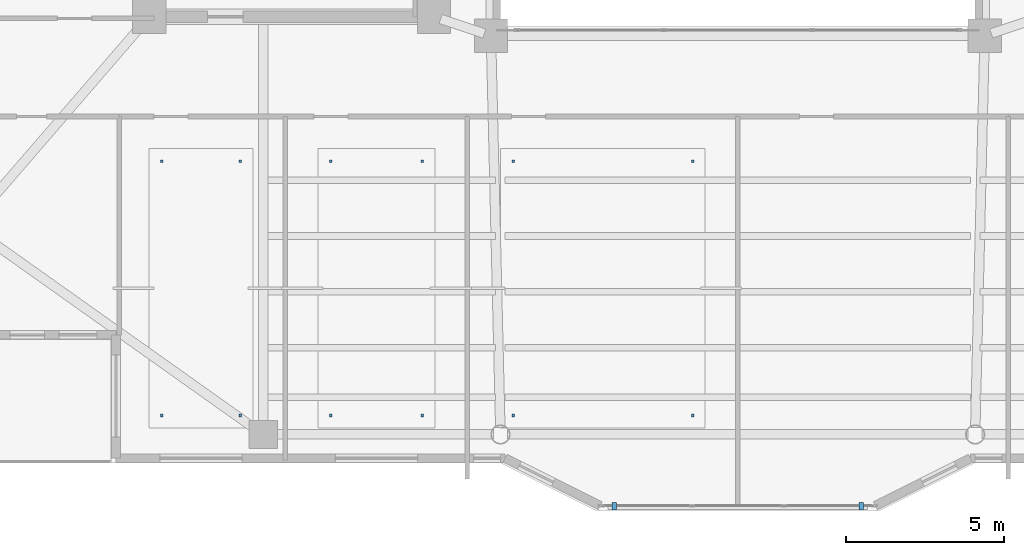
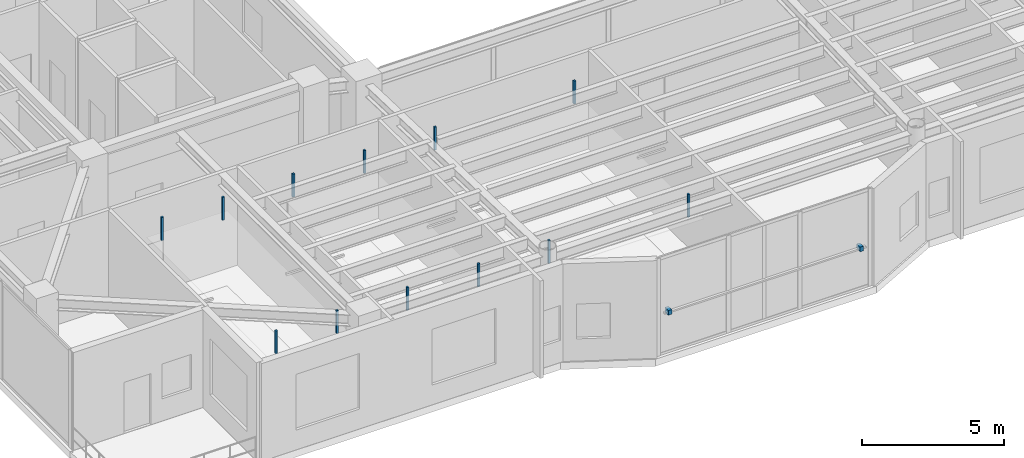
# One storey, part 28 of 33: 14 discrete accessories.
"""IFC4 building model written with IfcOpenShell, lengths in metres."""

from ifc_helpers import new_model, si_unit, direction, frame, origin, origin_2d, place, context, subcontext, project, spatial, rectangle, extrude, material, type_object, element, save


model = new_model("IFC4")

# Units and contexts
model_context = context("Model", 3, precision=1e-05, world=origin(), true_north=direction((0.0, 1.0)))
body_context = subcontext(model_context, "Body", "Model", "MODEL_VIEW")
ifc_project = project(units=[si_unit("LENGTHUNIT", "METRE"), si_unit("AREAUNIT", "SQUARE_METRE"), si_unit("VOLUMEUNIT", "CUBIC_METRE"), si_unit("PLANEANGLEUNIT", "RADIAN"), si_unit("MASSUNIT", "GRAM", prefix="KILO")], contexts=[model_context])

# Site, building, storey
site_placement = place(None, origin())
site = spatial("IfcSite", under=ifc_project, at=site_placement, CompositionType="ELEMENT")
building_placement = place(site_placement, origin())
building = spatial("IfcBuilding", under=site, at=building_placement, Name="Tarnavaz Court Tower", CompositionType="ELEMENT")
storey_placement = place(building_placement, frame((0.0, 0.0, 177.300048828125)))
storey = spatial("IfcBuildingStorey", under=building, at=storey_placement, Name="L48", CompositionType="ELEMENT", Elevation=177.300048828125)

# Discrete accessories
ifc_material = material(Name="Anodised Aluminium 6063-T6", Category="aluminium")
discrete_accessory_type = type_object("IfcDiscreteAccessoryType", Name="DA-BRKT-ALU", PredefinedType="BRACKET", material=ifc_material)
for number, where, z_axis, x_axis, name in (
    (1, (3.89990234375, -22.669921875, 1.7001953125), (0.0, 0.0, 1.0), (-1.0, 0.0, 0.0), "L48 Baguette Outrigger Bracket PBG17-1"),
    (2, (-3.89990234375, -22.669921875, 1.7001953125), (0.0, 0.0, 1.0), (-1.0, 0.0, 0.0), "L48 Baguette Outrigger Bracket PBG17-2"),
):
    element("IfcDiscreteAccessory", number, at=place(storey_placement, frame(where, z_axis=z_axis, x_axis=x_axis)), inside=storey, type_object=discrete_accessory_type, Name=name, PredefinedType="BRACKET", context=body_context, shape_type="SweptSolid", body=[
        extrude(rectangle(XDim=0.139892578125, YDim=0.239990234375, at=origin_2d()), origin(), (0.0, 0.0, 1.0), 0.199951171875),
    ])
for number, where, z_axis, x_axis, name in (
    (3, (-18.199951171875, -19.800048828125, 3.23974609375), (0.0, 0.0, 1.0), (1.0, 0.0, 0.0), "L48 Ceiling Suspension Hanger Bracket 02-1"),
    (4, (-15.72412109375, -19.800048828125, 3.23974609375), (0.0, 0.0, 1.0), (1.0, 0.0, 0.0), "L48 Ceiling Suspension Hanger Bracket 02-2"),
    (5, (-15.72412109375, -11.760009765625, 3.23974609375), (0.0, 0.0, 1.0), (1.0, 0.0, 0.0), "L48 Ceiling Suspension Hanger Bracket 02-3"),
    (6, (-18.199951171875, -11.760009765625, 3.23974609375), (0.0, 0.0, 1.0), (1.0, 0.0, 0.0), "L48 Ceiling Suspension Hanger Bracket 02-4"),
    (7, (-12.864013671875, -19.800048828125, 3.23974609375), (0.0, 0.0, 1.0), (1.0, 0.0, 0.0), "L48 Ceiling Suspension Hanger Bracket 03-1"),
    (8, (-9.969970703125, -19.800048828125, 3.23974609375), (0.0, 0.0, 1.0), (1.0, 0.0, 0.0), "L48 Ceiling Suspension Hanger Bracket 03-2"),
    (9, (-9.969970703125, -11.760009765625, 3.23974609375), (0.0, 0.0, 1.0), (1.0, 0.0, 0.0), "L48 Ceiling Suspension Hanger Bracket 03-3"),
    (10, (-12.864013671875, -11.760009765625, 3.23974609375), (0.0, 0.0, 1.0), (1.0, 0.0, 0.0), "L48 Ceiling Suspension Hanger Bracket 03-4"),
    (11, (-7.10009765625, -19.800048828125, 3.23974609375), (0.0, 0.0, 1.0), (1.0, 0.0, 0.0), "L48 Ceiling Suspension Hanger Bracket 04-1"),
    (12, (-1.429931640625, -19.800048828125, 3.23974609375), (0.0, 0.0, 1.0), (1.0, 0.0, 0.0), "L48 Ceiling Suspension Hanger Bracket 04-2"),
    (13, (-1.429931640625, -11.760009765625, 3.23974609375), (0.0, 0.0, 1.0), (1.0, 0.0, 0.0), "L48 Ceiling Suspension Hanger Bracket 04-3"),
    (14, (-7.10009765625, -11.760009765625, 3.23974609375), (0.0, 0.0, 1.0), (1.0, 0.0, 0.0), "L48 Ceiling Suspension Hanger Bracket 04-4"),
):
    element("IfcDiscreteAccessory", number, at=place(storey_placement, frame(where, z_axis=z_axis, x_axis=x_axis)), inside=storey, type_object=discrete_accessory_type, Name=name, PredefinedType="BRACKET", context=body_context, shape_type="SweptSolid", body=[
        extrude(rectangle(XDim=0.080078125, YDim=0.080078125, at=origin_2d()), origin(), (0.0, 0.0, 1.0), 0.989990234375),
    ])

save(model, "model.ifc")
